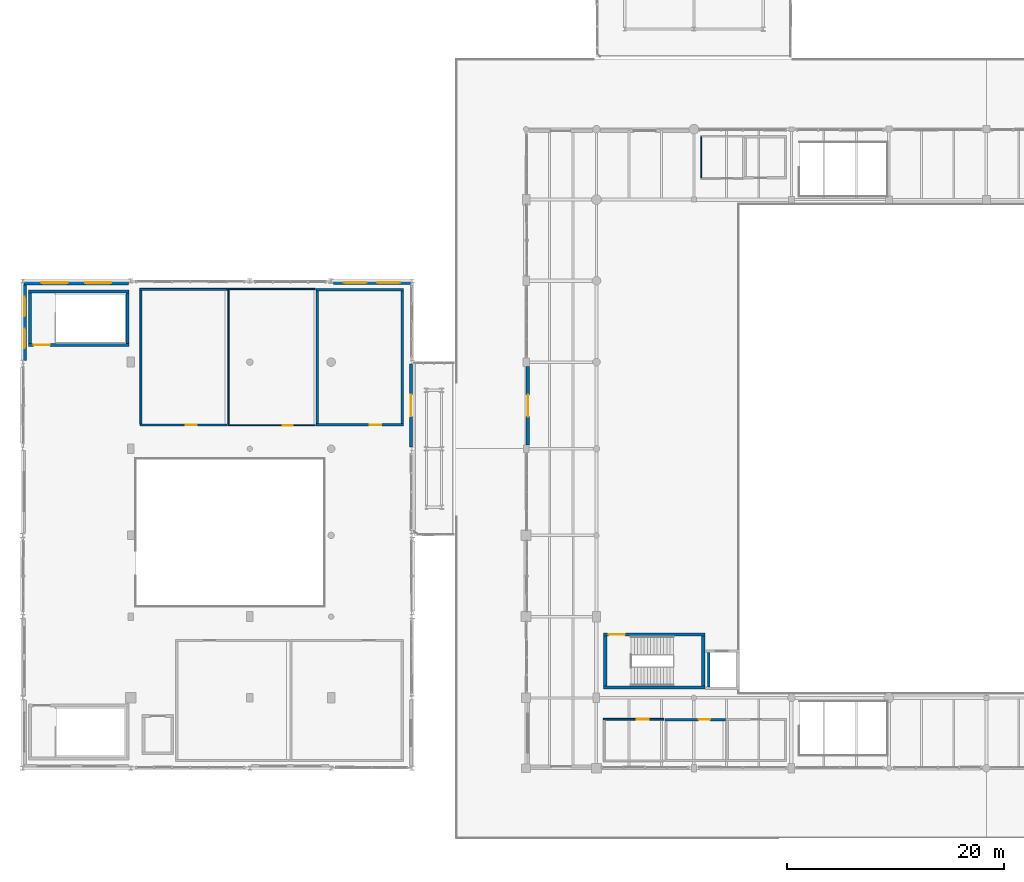
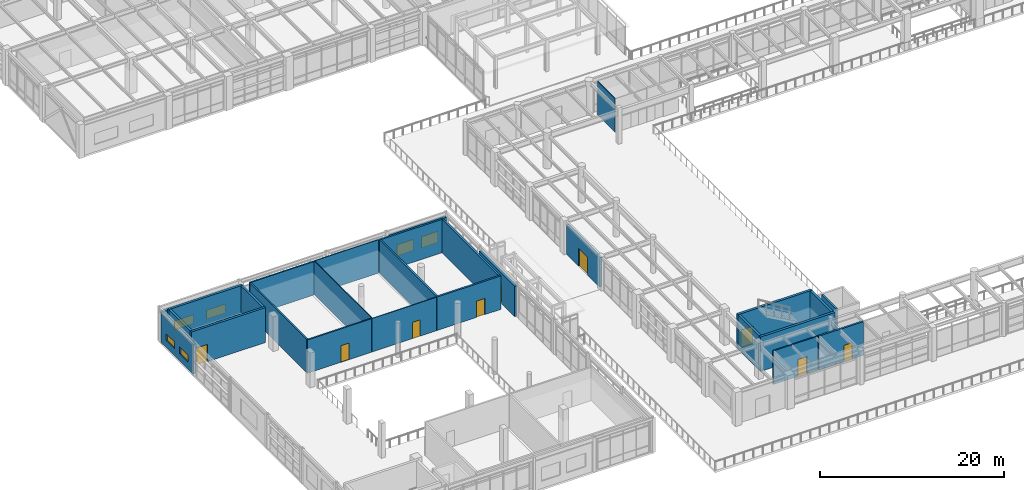
# One storey, part 172 of 200: 27 walls, 9 doors, 6 windows, 15 openings.
"""IFC4 building model written with IfcOpenShell, lengths in metres."""

from ifc_helpers import new_model, si_unit, direction, frame, frame_2d, origin, place, context, subcontext, project, spatial, rectangle, extrude, material, layer, layer_set, type_object, element, fill, save


model = new_model("IFC4")

# Units and contexts
model_context = context("Model", 3, precision=1e-05, world=origin(), true_north=direction((0.0, 1.0)))
body_context = subcontext(model_context, "Body", "Model", "MODEL_VIEW")
ifc_project = project(units=[si_unit("LENGTHUNIT", "METRE"), si_unit("AREAUNIT", "SQUARE_METRE"), si_unit("VOLUMEUNIT", "CUBIC_METRE"), si_unit("PLANEANGLEUNIT", "RADIAN"), si_unit("MASSUNIT", "GRAM", prefix="KILO"), si_unit("THERMODYNAMICTEMPERATUREUNIT", "KELVIN"), si_unit("POWERUNIT", "WATT")], contexts=[model_context])

# Site, building, storey
site_placement = place(None, origin())
site = spatial("IfcSite", under=ifc_project, at=site_placement, CompositionType="ELEMENT")
building_placement = place(site_placement, origin())
building = spatial("IfcBuilding", under=site, at=building_placement, Name="Tepalcoro Natatorium and Aquatics Centre", CompositionType="ELEMENT")
storey_placement = place(building_placement, frame((0.0, 0.0, 5.39990234375)))
storey = spatial("IfcBuildingStorey", under=building, at=storey_placement, Name="L01", CompositionType="ELEMENT", Elevation=5.39990234375)

# Wall, opening, door
ifc_material_1 = material(Name="Precast Concrete C45/55 (fc 45 MPa)", Category="concrete")
ifc_layer_1 = layer(ifc_material_1, 0.284912109375)
ifc_layer_set_1 = layer_set([ifc_layer_1], Name="Precast Concrete C45/55 (fc 45 MPa)")
wall_type_1 = type_object("IfcWallType", Name="WL_EXT_INSUL_280", PredefinedType="SOLIDWALL", material=ifc_layer_set_1)
wall_1_placement = place(storey_placement, frame((35.857421875, 36.157470703125, 0.0), z_axis=(0.0, 0.0, 1.0), x_axis=(0.0, 1.0, 0.0)))
wall_1 = element("IfcWall", 1, at=wall_1_placement, inside=storey, type_object=wall_type_1, Name="V3 L01 E Volcanic Basalt Envelope Wall", PredefinedType="SOLIDWALL", context=body_context, shape_type="SweptSolid", body=[
    extrude(rectangle(XDim=7.680908203125, YDim=0.284912109375, at=frame_2d((3.84033203125, 0.0))), origin(), (0.0, 0.0, 1.0), 4.0341796875),
])
opening_1_placement = place(wall_1_placement, frame((2.840576171875, 0.0, 0.0)))
opening_1 = element("IfcOpeningElement", 2, at=opening_1_placement, cuts=wall_1, Name="Opening ED5029", PredefinedType="OPENING", context=body_context, shape_type="SweptSolid", body=[
    extrude(rectangle(XDim=2.0, YDim=2.39990234375, at=frame_2d((1.0, 1.199951171875))), frame((0.0, 0.154296875, 0.0), z_axis=(0.0, -1.0, 0.0), x_axis=(1.0, 0.0, 0.0)), (0.0, 0.0, 1.0), 0.308837890625),
])
ifc_material_2 = material(Name="Bronze-Anodised Extruded Aluminium Alloy EN AW-6063 T6", Category="aluminium")
door_type_1 = type_object("IfcDoorType", Name="DR_200x240_EXT", OperationType="NOTDEFINED", PredefinedType="DOOR", material=ifc_material_2)
door_1_placement = place(opening_1_placement, frame((2.0, 0.0, 0.0), z_axis=(0.0, 0.0, 1.0), x_axis=(-1.0, 0.0, 0.0)))
door_1 = element("IfcDoor", 3, at=door_1_placement, inside=storey, type_object=door_type_1, Name="V3 L01 East Link Portal", OperationType="DOUBLE_DOOR_SINGLE_SWING", OverallHeight=2.39990234375, OverallWidth=2.0, PredefinedType="DOOR", context=body_context, shape_type="SweptSolid", body=[
    extrude(rectangle(XDim=2.0, YDim=2.39990234375, at=frame_2d((1.0, 1.199951171875))), frame((0.0, 0.02490234375, 0.0), z_axis=(0.0, -1.0, 0.0), x_axis=(1.0, 0.0, 0.0)), (0.0, 0.0, 1.0), 0.050048828125),
])
fill(opening_1, door_1)

ifc_material_3 = material(Name="Jalisco Cantera Rosa Volcanic Tuff Ashlar Masonry", Category="masonry")
ifc_layer_2 = layer(ifc_material_3, 0.320068359375)
ifc_layer_set_2 = layer_set([ifc_layer_2], Name="Jalisco Cantera Rosa Volcanic Tuff Ashlar Masonry")
wall_type_2 = type_object("IfcWallType", Name="WL_EXT_STONE_320", PredefinedType="SOLIDWALL", material=ifc_layer_set_2)
wall_2_placement = place(storey_placement, frame((46.659912109375, 36.35400390625, 0.0), z_axis=(0.0, 0.0, 1.0), x_axis=(0.0, 1.0, 0.0)))
wall_2 = element("IfcWall", 4, at=wall_2_placement, inside=storey, type_object=wall_type_2, Name="V1 L01 W Volcanic Basalt Envelope Wall", PredefinedType="SOLIDWALL", context=body_context, shape_type="SweptSolid", body=[
    extrude(rectangle(XDim=7.241943359375, YDim=0.320068359375, at=frame_2d((3.62109375, 0.0))), origin(), (0.0, 0.0, 1.0), 3.9140625),
])
opening_2_placement = place(wall_2_placement, frame((2.62109375, 0.0, 0.0)))
opening_2 = element("IfcOpeningElement", 5, at=opening_2_placement, cuts=wall_2, Name="Opening ED5015", PredefinedType="OPENING", context=body_context, shape_type="SweptSolid", body=[
    extrude(rectangle(XDim=2.0, YDim=2.39990234375, at=frame_2d((1.0, 1.199951171875))), frame((0.0, 0.171875, 0.0), z_axis=(0.0, -1.0, 0.0), x_axis=(1.0, 0.0, 0.0)), (0.0, 0.0, 1.0), 0.343994140625),
])
door_2_placement = place(opening_2_placement, origin())
door_2 = element("IfcDoor", 6, at=door_2_placement, inside=storey, type_object=door_type_1, Name="L01 West Bridge Portal", OperationType="DOUBLE_DOOR_SINGLE_SWING", OverallHeight=2.39990234375, OverallWidth=2.0, PredefinedType="DOOR", context=body_context, shape_type="SweptSolid", body=[
    extrude(rectangle(XDim=2.0, YDim=2.39990234375, at=frame_2d((1.0, 1.199951171875))), frame((0.0, 0.02490234375, 0.0), z_axis=(0.0, -1.0, 0.0), x_axis=(1.0, 0.0, 0.0)), (0.0, 0.0, 1.0), 0.050048828125),
])
fill(opening_2, door_2)

# Wall, openings, windows
wall_3_placement = place(storey_placement, frame((28.70458984375, 51.340087890625, 0.0), z_axis=(0.0, 0.0, 1.0), x_axis=(1.0, 0.0, 0.0)))
wall_3 = element("IfcWall", 7, at=wall_3_placement, inside=storey, type_object=wall_type_2, Name="V3 L01 N Volcanic Basalt Envelope Wall", PredefinedType="SOLIDWALL", context=body_context, shape_type="SweptSolid", body=[
    extrude(rectangle(XDim=7.136474609375, YDim=0.320068359375, at=frame_2d((3.568359375, 0.0))), origin(), (0.0, 0.0, 1.0), 4.0341796875),
])
opening_3_placement = place(wall_3_placement, frame((0.978759765625, 0.0, 0.949951171875)))
opening_3 = element("IfcOpeningElement", 8, at=opening_3_placement, cuts=wall_3, Name="Opening W0063A", PredefinedType="OPENING", context=body_context, shape_type="SweptSolid", body=[
    extrude(rectangle(XDim=2.10009765625, YDim=1.5, at=frame_2d((1.050048828125, 0.75))), frame((0.0, 0.171875, 0.0), z_axis=(0.0, -1.0, 0.0), x_axis=(1.0, 0.0, 0.0)), (0.0, 0.0, 1.0), 0.343994140625),
])
opening_4_placement = place(wall_3_placement, frame((4.0576171875, 0.0, 0.949951171875)))
opening_4 = element("IfcOpeningElement", 9, at=opening_4_placement, cuts=wall_3, Name="Opening W0063B", PredefinedType="OPENING", context=body_context, shape_type="SweptSolid", body=[
    extrude(rectangle(XDim=2.10009765625, YDim=1.5, at=frame_2d((1.050048828125, 0.75))), frame((0.0, 0.171875, 0.0), z_axis=(0.0, -1.0, 0.0), x_axis=(1.0, 0.0, 0.0)), (0.0, 0.0, 1.0), 0.343994140625),
])
ifc_material_4 = material(Name="Solar-Control Bronze Tempered Low-E Double Glazing", Category="glass")
window_type_1 = type_object("IfcWindowType", Name="WN_210x150", PartitioningType="SINGLE_PANEL", PredefinedType="WINDOW", material=ifc_material_4)
window_1_placement = place(opening_3_placement, origin())
window_1 = element("IfcWindow", 10, at=window_1_placement, inside=storey, type_object=window_type_1, Name="Exterior Thermal Window WN_210x150", OverallHeight=1.5, OverallWidth=2.10009765625, PartitioningType="SINGLE_PANEL", PredefinedType="WINDOW", context=body_context, shape_type="SweptSolid", body=[
    extrude(rectangle(XDim=2.10009765625, YDim=1.5, at=frame_2d((1.050048828125, 0.75))), frame((0.0, 0.030029296875, 0.0), z_axis=(0.0, -1.0, 0.0), x_axis=(1.0, 0.0, 0.0)), (0.0, 0.0, 1.0), 0.06005859375),
])
fill(opening_3, window_1)
window_2_placement = place(opening_4_placement, origin())
window_2 = element("IfcWindow", 11, at=window_2_placement, inside=storey, type_object=window_type_1, Name="Exterior Thermal Window WN_210x150", OverallHeight=1.5, OverallWidth=2.10009765625, PartitioningType="SINGLE_PANEL", PredefinedType="WINDOW", context=body_context, shape_type="SweptSolid", body=[
    extrude(rectangle(XDim=2.10009765625, YDim=1.5, at=frame_2d((1.050048828125, 0.75))), frame((0.0, 0.030029296875, 0.0), z_axis=(0.0, -1.0, 0.0), x_axis=(1.0, 0.0, 0.0)), (0.0, 0.0, 1.0), 0.06005859375),
])
fill(opening_4, window_2)

ifc_material_5 = material(Name="Volcanic Recinto Basalt Ashlar Masonry", Category="masonry")
ifc_layer_3 = layer(ifc_material_5, 0.360107421875)
ifc_layer_set_3 = layer_set([ifc_layer_3], Name="Volcanic Recinto Basalt Ashlar Masonry")
wall_type_3 = type_object("IfcWallType", Name="WL_EXT_STONE_350", PredefinedType="SOLIDWALL", material=ifc_layer_set_3)
wall_4_placement = place(storey_placement, frame((0.158935546875, 51.320068359375, 0.0), z_axis=(0.0, 0.0, 1.0), x_axis=(1.0, 0.0, 0.0)))
wall_4 = element("IfcWall", 12, at=wall_4_placement, inside=storey, type_object=wall_type_3, Name="V3 L01 N Volcanic Basalt Envelope Wall", PredefinedType="SOLIDWALL", context=body_context, shape_type="SweptSolid", body=[
    extrude(rectangle(XDim=9.650146484375, YDim=0.360107421875, at=frame_2d((4.8251953125, 0.0))), origin(), (0.0, 0.0, 1.0), 3.9580078125),
])
opening_5_placement = place(wall_4_placement, frame((1.61669921875, 0.0, 0.949951171875)))
opening_5 = element("IfcOpeningElement", 13, at=opening_5_placement, cuts=wall_4, Name="Opening W0062A", PredefinedType="OPENING", context=body_context, shape_type="SweptSolid", body=[
    extrude(rectangle(XDim=2.39990234375, YDim=1.199951171875, at=frame_2d((1.199951171875, 0.60009765625))), frame((0.0, 0.19189453125, 0.0), z_axis=(0.0, -1.0, 0.0), x_axis=(1.0, 0.0, 0.0)), (0.0, 0.0, 1.0), 0.384033203125),
])
opening_6_placement = place(wall_4_placement, frame((5.63330078125, 0.0, 0.949951171875)))
opening_6 = element("IfcOpeningElement", 14, at=opening_6_placement, cuts=wall_4, Name="Opening W0062B", PredefinedType="OPENING", context=body_context, shape_type="SweptSolid", body=[
    extrude(rectangle(XDim=2.39990234375, YDim=1.199951171875, at=frame_2d((1.199951171875, 0.60009765625))), frame((0.0, 0.19189453125, 0.0), z_axis=(0.0, -1.0, 0.0), x_axis=(1.0, 0.0, 0.0)), (0.0, 0.0, 1.0), 0.384033203125),
])
window_type_2 = type_object("IfcWindowType", Name="WN_240x120", PartitioningType="SINGLE_PANEL", PredefinedType="WINDOW", material=ifc_material_4)
window_3_placement = place(opening_5_placement, origin())
window_3 = element("IfcWindow", 15, at=window_3_placement, inside=storey, type_object=window_type_2, Name="Exterior Thermal Window WN_240x120", OverallHeight=1.199951171875, OverallWidth=2.39990234375, PartitioningType="SINGLE_PANEL", PredefinedType="WINDOW", context=body_context, shape_type="SweptSolid", body=[
    extrude(rectangle(XDim=2.39990234375, YDim=1.199951171875, at=frame_2d((1.199951171875, 0.60009765625))), frame((0.0, 0.030029296875, 0.0), z_axis=(0.0, -1.0, 0.0), x_axis=(1.0, 0.0, 0.0)), (0.0, 0.0, 1.0), 0.06005859375),
])
fill(opening_5, window_3)
window_4_placement = place(opening_6_placement, origin())
window_4 = element("IfcWindow", 16, at=window_4_placement, inside=storey, type_object=window_type_2, Name="Exterior Thermal Window WN_240x120", OverallHeight=1.199951171875, OverallWidth=2.39990234375, PartitioningType="SINGLE_PANEL", PredefinedType="WINDOW", context=body_context, shape_type="SweptSolid", body=[
    extrude(rectangle(XDim=2.39990234375, YDim=1.199951171875, at=frame_2d((1.199951171875, 0.60009765625))), frame((0.0, 0.030029296875, 0.0), z_axis=(0.0, -1.0, 0.0), x_axis=(1.0, 0.0, 0.0)), (0.0, 0.0, 1.0), 0.06005859375),
])
fill(opening_6, window_4)

wall_5_placement = place(storey_placement, frame((0.179931640625, 44.16162109375, 0.0), z_axis=(0.0, 0.0, 1.0), x_axis=(0.0, 1.0, 0.0)))
wall_5 = element("IfcWall", 17, at=wall_5_placement, inside=storey, type_object=wall_type_3, Name="V3 L01 W Volcanic Basalt Envelope Wall", PredefinedType="SOLIDWALL", context=body_context, shape_type="SweptSolid", body=[
    extrude(rectangle(XDim=6.974365234375, YDim=0.360107421875, at=frame_2d((3.4873046875, 0.0))), origin(), (0.0, 0.0, 1.0), 3.9580078125),
])
opening_7_placement = place(wall_5_placement, frame((1.124755859375, 0.0, 0.949951171875)))
opening_7 = element("IfcOpeningElement", 18, at=opening_7_placement, cuts=wall_5, Name="Opening W0067A", PredefinedType="OPENING", context=body_context, shape_type="SweptSolid", body=[
    extrude(rectangle(XDim=1.800048828125, YDim=0.89990234375, at=frame_2d((0.89990234375, 0.449951171875))), frame((0.0, 0.19189453125, 0.0), z_axis=(0.0, -1.0, 0.0), x_axis=(1.0, 0.0, 0.0)), (0.0, 0.0, 1.0), 0.384033203125),
])
opening_8_placement = place(wall_5_placement, frame((4.0498046875, 0.0, 0.949951171875)))
opening_8 = element("IfcOpeningElement", 19, at=opening_8_placement, cuts=wall_5, Name="Opening W0067B", PredefinedType="OPENING", context=body_context, shape_type="SweptSolid", body=[
    extrude(rectangle(XDim=1.800048828125, YDim=0.89990234375, at=frame_2d((0.89990234375, 0.449951171875))), frame((0.0, 0.19189453125, 0.0), z_axis=(0.0, -1.0, 0.0), x_axis=(1.0, 0.0, 0.0)), (0.0, 0.0, 1.0), 0.384033203125),
])
window_type_3 = type_object("IfcWindowType", Name="WN_180x090_CLER", PartitioningType="SINGLE_PANEL", PredefinedType="WINDOW", material=ifc_material_4)
window_5_placement = place(opening_7_placement, origin())
window_5 = element("IfcWindow", 20, at=window_5_placement, inside=storey, type_object=window_type_3, Name="Exterior Thermal Window WN_180x090_CLER", OverallHeight=0.89990234375, OverallWidth=1.800048828125, PartitioningType="SINGLE_PANEL", PredefinedType="WINDOW", context=body_context, shape_type="SweptSolid", body=[
    extrude(rectangle(XDim=1.800048828125, YDim=0.89990234375, at=frame_2d((0.89990234375, 0.449951171875))), frame((0.0, 0.030029296875, 0.0), z_axis=(0.0, -1.0, 0.0), x_axis=(1.0, 0.0, 0.0)), (0.0, 0.0, 1.0), 0.06005859375),
])
fill(opening_7, window_5)
window_6_placement = place(opening_8_placement, origin())
window_6 = element("IfcWindow", 21, at=window_6_placement, inside=storey, type_object=window_type_3, Name="Exterior Thermal Window WN_180x090_CLER", OverallHeight=0.89990234375, OverallWidth=1.800048828125, PartitioningType="SINGLE_PANEL", PredefinedType="WINDOW", context=body_context, shape_type="SweptSolid", body=[
    extrude(rectangle(XDim=1.800048828125, YDim=0.89990234375, at=frame_2d((0.89990234375, 0.449951171875))), frame((0.0, 0.030029296875, 0.0), z_axis=(0.0, -1.0, 0.0), x_axis=(1.0, 0.0, 0.0)), (0.0, 0.0, 1.0), 0.06005859375),
])
fill(opening_8, window_6)

# Wall
ifc_material_6 = material(Name="Moisture-Resistant Acoustic Gypsum Drywall on Cold-Formed Metal Studs")
ifc_layer_4 = layer(ifc_material_6, 0.10009765625)
ifc_layer_set_4 = layer_set([ifc_layer_4], Name="Moisture-Resistant Acoustic Gypsum Drywall on Cold-Formed Metal Studs")
wall_type_4 = type_object("IfcWallType", Name="WL_PART_100", PredefinedType="PARTITIONING", material=ifc_layer_set_4)
wall_6_placement = place(storey_placement, frame((62.68994140625, 61.0, 0.0), z_axis=(0.0, 0.0, 1.0), x_axis=(0.0, 1.0, 0.0)))
element("IfcWall", 22, at=wall_6_placement, inside=storey, type_object=wall_type_4, Name="North Concourse Espresso Bar NW Partition W", PredefinedType="PARTITIONING", context=body_context, shape_type="SweptSolid", body=[
    extrude(rectangle(XDim=3.800048828125, YDim=0.10009765625, at=frame_2d((1.89990234375, 0.0))), origin(), (0.0, 0.0, 1.0), 4.465087890625),
])

# Wall, opening, door
wall_7_placement = place(storey_placement, frame((18.972900390625, 38.14990234375, 0.0), z_axis=(0.0, 0.0, 1.0), x_axis=(1.0, 0.0, 0.0)))
wall_7 = element("IfcWall", 23, at=wall_7_placement, inside=storey, type_object=wall_type_4, Name="Members Lounge & Juice Bar Partition S", PredefinedType="PARTITIONING", context=body_context, shape_type="SweptSolid", body=[
    extrude(rectangle(XDim=8.05419921875, YDim=0.10009765625, at=frame_2d((4.027099609375, 0.0))), origin(), (0.0, 0.0, 1.0), 4.43505859375),
])
opening_9_placement = place(wall_7_placement, frame((5.052978515625, 0.0, 0.0)))
opening_9 = element("IfcOpeningElement", 24, at=opening_9_placement, cuts=wall_7, Name="Opening D0133", PredefinedType="OPENING", context=body_context, shape_type="SweptSolid", body=[
    extrude(rectangle(XDim=0.949951171875, YDim=2.14990234375, at=frame_2d((0.47509765625, 1.074951171875))), frame((0.0, 0.06201171875, 0.0), z_axis=(0.0, -1.0, 0.0), x_axis=(1.0, 0.0, 0.0)), (0.0, 0.0, 1.0), 0.1240234375),
])
ifc_material_7 = material(Name="Solid-Core Moisture-Sealed Oak Timber Leaf in Aluminium Frame", Category="wood")
door_type_2 = type_object("IfcDoorType", Name="DR_095x215_OFFICE", OperationType="NOTDEFINED", PredefinedType="DOOR", material=ifc_material_7)
door_3_placement = place(opening_9_placement, origin())
door_3 = element("IfcDoor", 25, at=door_3_placement, inside=storey, type_object=door_type_2, Name="Members Lounge & Juice Bar Door", OperationType="SINGLE_SWING_RIGHT", OverallHeight=2.14990234375, OverallWidth=0.949951171875, PredefinedType="DOOR", context=body_context, shape_type="SweptSolid", body=[
    extrude(rectangle(XDim=0.949951171875, YDim=2.14990234375, at=frame_2d((0.47509765625, 1.074951171875))), frame((0.0, 0.02490234375, 0.0), z_axis=(0.0, -1.0, 0.0), x_axis=(1.0, 0.0, 0.0)), (0.0, 0.0, 1.0), 0.050048828125),
])
fill(opening_9, door_3)

# Walls
wall_8_placement = place(storey_placement, frame((18.972900390625, 50.75, 0.0), z_axis=(0.0, 0.0, 1.0), x_axis=(1.0, 0.0, 0.0)))
element("IfcWall", 26, at=wall_8_placement, inside=storey, type_object=wall_type_4, Name="Members Lounge & Juice Bar Partition N", PredefinedType="PARTITIONING", context=body_context, shape_type="SweptSolid", body=[
    extrude(rectangle(XDim=8.05419921875, YDim=0.10009765625, at=frame_2d((4.027099609375, 0.0))), origin(), (0.0, 0.0, 1.0), 4.43505859375),
])
wall_9_placement = place(storey_placement, frame((19.02294921875, 38.199951171875, 0.0), z_axis=(0.0, 0.0, 1.0), x_axis=(0.0, 1.0, 0.0)))
element("IfcWall", 27, at=wall_9_placement, inside=storey, type_object=wall_type_4, Name="Members Lounge & Juice Bar Partition W", PredefinedType="PARTITIONING", context=body_context, shape_type="SweptSolid", body=[
    extrude(rectangle(XDim=12.5, YDim=0.10009765625, at=frame_2d((6.25, 0.0))), origin(), (0.0, 0.0, 1.0), 4.43505859375),
])

# Wall, opening, door
ifc_layer_5 = layer(ifc_material_6, 0.14990234375)
ifc_layer_set_5 = layer_set([ifc_layer_5], Name="Moisture-Resistant Acoustic Gypsum Drywall on Cold-Formed Metal Studs")
wall_type_5 = type_object("IfcWallType", Name="WL_PART_150_AC", PredefinedType="PARTITIONING", material=ifc_layer_set_5)
wall_10_placement = place(storey_placement, frame((53.639892578125, 11.02490234375, 0.0), z_axis=(0.0, 0.0, 1.0), x_axis=(1.0, 0.0, 0.0)))
wall_10 = element("IfcWall", 28, at=wall_10_placement, inside=storey, type_object=wall_type_5, Name="South Concourse Refreshment Kiosk West Partition N", PredefinedType="PARTITIONING", context=body_context, shape_type="SweptSolid", body=[
    extrude(rectangle(XDim=5.587158203125, YDim=0.14990234375, at=frame_2d((2.79345703125, 0.0))), origin(), (0.0, 0.0, 1.0), 4.465087890625),
])
opening_10_placement = place(wall_10_placement, frame((3.090087890625, 0.0, 0.0)))
opening_10 = element("IfcOpeningElement", 29, at=opening_10_placement, cuts=wall_10, Name="Opening D0115", PredefinedType="OPENING", context=body_context, shape_type="SweptSolid", body=[
    extrude(rectangle(XDim=1.10009765625, YDim=2.25, at=frame_2d((0.550048828125, 1.125))), frame((0.0, 0.0869140625, 0.0), z_axis=(0.0, -1.0, 0.0), x_axis=(1.0, 0.0, 0.0)), (0.0, 0.0, 1.0), 0.173828125),
])
door_type_3 = type_object("IfcDoorType", Name="DR_110x225", OperationType="NOTDEFINED", PredefinedType="DOOR", material=ifc_material_7)
door_4_placement = place(opening_10_placement, frame((1.10009765625, 0.0, 0.0), z_axis=(0.0, 0.0, 1.0), x_axis=(-1.0, 0.0, 0.0)))
door_4 = element("IfcDoor", 30, at=door_4_placement, inside=storey, type_object=door_type_3, Name="South Concourse Refreshment Kiosk West Door", OperationType="SINGLE_SWING_RIGHT", OverallHeight=2.25, OverallWidth=1.10009765625, PredefinedType="DOOR", context=body_context, shape_type="SweptSolid", body=[
    extrude(rectangle(XDim=1.10009765625, YDim=2.25, at=frame_2d((0.550048828125, 1.125))), frame((0.0, 0.02490234375, 0.0), z_axis=(0.0, -1.0, 0.0), x_axis=(1.0, 0.0, 0.0)), (0.0, 0.0, 1.0), 0.050048828125),
])
fill(opening_10, door_4)

ifc_layer_6 = layer(ifc_material_6, 0.179931640625)
ifc_layer_set_6 = layer_set([ifc_layer_6], Name="Moisture-Resistant Acoustic Gypsum Drywall on Cold-Formed Metal Studs")
wall_type_6 = type_object("IfcWallType", Name="WL_PART_180_AC", PredefinedType="PARTITIONING", material=ifc_layer_set_6)
wall_11_placement = place(storey_placement, frame((10.840087890625, 38.18994140625, 0.0), z_axis=(0.0, 0.0, 1.0), x_axis=(1.0, 0.0, 0.0)))
wall_11 = element("IfcWall", 31, at=wall_11_placement, inside=storey, type_object=wall_type_6, Name="Civic Community Multi-Purpose Seminar Room Partition S", PredefinedType="PARTITIONING", context=body_context, shape_type="SweptSolid", body=[
    extrude(rectangle(XDim=8.052978515625, YDim=0.179931640625, at=frame_2d((4.0263671875, 0.0))), origin(), (0.0, 0.0, 1.0), 4.43505859375),
])
opening_11_placement = place(wall_11_placement, frame((4.240966796875, 0.0, 0.0)))
opening_11 = element("IfcOpeningElement", 32, at=opening_11_placement, cuts=wall_11, Name="Opening D0132", PredefinedType="OPENING", context=body_context, shape_type="SweptSolid", body=[
    extrude(rectangle(XDim=1.0, YDim=2.199951171875, at=frame_2d((0.5, 1.10009765625))), frame((0.0, 0.10205078125, 0.0), z_axis=(0.0, -1.0, 0.0), x_axis=(1.0, 0.0, 0.0)), (0.0, 0.0, 1.0), 0.203857421875),
])
ifc_material_8 = material(Name="Galvanised Steel Insulated Acoustic Fire Door Assembly", Category="steel")
door_type_4 = type_object("IfcDoorType", Name="DR_100x220_FD60", OperationType="NOTDEFINED", PredefinedType="DOOR", material=ifc_material_8)
door_5_placement = place(opening_11_placement, origin())
door_5 = element("IfcDoor", 33, at=door_5_placement, inside=storey, type_object=door_type_4, Name="Civic Community Multi-Purpose Seminar Room Door", OperationType="SINGLE_SWING_LEFT", OverallHeight=2.199951171875, OverallWidth=1.0, PredefinedType="DOOR", context=body_context, shape_type="SweptSolid", body=[
    extrude(rectangle(XDim=1.0, YDim=2.199951171875, at=frame_2d((0.5, 1.10009765625))), frame((0.0, 0.02490234375, 0.0), z_axis=(0.0, -1.0, 0.0), x_axis=(1.0, 0.0, 0.0)), (0.0, 0.0, 1.0), 0.050048828125),
])
fill(opening_11, door_5)

# Walls
wall_12_placement = place(storey_placement, frame((10.840087890625, 50.7099609375, 0.0), z_axis=(0.0, 0.0, 1.0), x_axis=(1.0, 0.0, 0.0)))
element("IfcWall", 34, at=wall_12_placement, inside=storey, type_object=wall_type_6, Name="Civic Community Multi-Purpose Seminar Room Partition N", PredefinedType="PARTITIONING", context=body_context, shape_type="SweptSolid", body=[
    extrude(rectangle(XDim=8.052978515625, YDim=0.179931640625, at=frame_2d((4.0263671875, 0.0))), origin(), (0.0, 0.0, 1.0), 4.43505859375),
])
wall_13_placement = place(storey_placement, frame((10.929931640625, 38.280029296875, 0.0), z_axis=(0.0, 0.0, 1.0), x_axis=(0.0, 1.0, 0.0)))
element("IfcWall", 35, at=wall_13_placement, inside=storey, type_object=wall_type_6, Name="Civic Community Multi-Purpose Seminar Room Partition W", PredefinedType="PARTITIONING", context=body_context, shape_type="SweptSolid", body=[
    extrude(rectangle(XDim=12.340087890625, YDim=0.179931640625, at=frame_2d((6.169921875, 0.0))), origin(), (0.0, 0.0, 1.0), 4.43505859375),
])

# Wall, opening, door
ifc_material_9 = material(Name="Ceramic-Tiled Moisture-Resistant Masonry Blockwork", Category="masonry")
ifc_layer_7 = layer(ifc_material_9, 0.219970703125)
ifc_layer_set_7 = layer_set([ifc_layer_7], Name="Ceramic-Tiled Moisture-Resistant Masonry Blockwork")
wall_type_7 = type_object("IfcWallType", Name="WL_PLUMB_220", PredefinedType="PLUMBINGWALL", material=ifc_layer_set_7)
wall_14_placement = place(storey_placement, frame((59.306884765625, 10.989990234375, 0.0), z_axis=(0.0, 0.0, 1.0), x_axis=(1.0, 0.0, 0.0)))
wall_14 = element("IfcWall", 36, at=wall_14_placement, inside=storey, type_object=wall_type_7, Name="Spectator Male & Female Toilets SW Partition N", PredefinedType="PLUMBINGWALL", context=body_context, shape_type="SweptSolid", body=[
    extrude(rectangle(XDim=5.586181640625, YDim=0.219970703125, at=frame_2d((2.79296875, 0.0))), origin(), (0.0, 0.0, 1.0), 4.465087890625),
])
opening_12_placement = place(wall_14_placement, frame((3.126953125, 0.0, 0.0)))
opening_12 = element("IfcOpeningElement", 37, at=opening_12_placement, cuts=wall_14, Name="Opening D0116", PredefinedType="OPENING", context=body_context, shape_type="SweptSolid", body=[
    extrude(rectangle(XDim=1.050048828125, YDim=2.14990234375, at=frame_2d((0.52490234375, 1.074951171875))), frame((0.0, 0.1220703125, 0.0), z_axis=(0.0, -1.0, 0.0), x_axis=(1.0, 0.0, 0.0)), (0.0, 0.0, 1.0), 0.243896484375),
])
door_type_5 = type_object("IfcDoorType", Name="DR_105x215_ACC", OperationType="NOTDEFINED", PredefinedType="DOOR", material=ifc_material_7)
door_6_placement = place(opening_12_placement, frame((1.050048828125, 0.0, 0.0), z_axis=(0.0, 0.0, 1.0), x_axis=(-1.0, 0.0, 0.0)))
door_6 = element("IfcDoor", 38, at=door_6_placement, inside=storey, type_object=door_type_5, Name="Spectator Male & Female Toilets SW Door", OperationType="SINGLE_SWING_LEFT", OverallHeight=2.14990234375, OverallWidth=1.050048828125, PredefinedType="DOOR", context=body_context, shape_type="SweptSolid", body=[
    extrude(rectangle(XDim=1.050048828125, YDim=2.14990234375, at=frame_2d((0.52490234375, 1.074951171875))), frame((0.0, 0.02490234375, 0.0), z_axis=(0.0, -1.0, 0.0), x_axis=(1.0, 0.0, 0.0)), (0.0, 0.0, 1.0), 0.050048828125),
])
fill(opening_12, door_6)

wall_15_placement = place(storey_placement, frame((27.10693359375, 38.2099609375, 0.0), z_axis=(0.0, 0.0, 1.0), x_axis=(1.0, 0.0, 0.0)))
wall_15 = element("IfcWall", 39, at=wall_15_placement, inside=storey, type_object=wall_type_7, Name="L01 Atrium Male/Female & Accessible Toilets Partition S", PredefinedType="PLUMBINGWALL", context=body_context, shape_type="SweptSolid", body=[
    extrude(rectangle(XDim=8.052978515625, YDim=0.219970703125, at=frame_2d((4.0263671875, 0.0))), origin(), (0.0, 0.0, 1.0), 4.43505859375),
])
opening_13_placement = place(wall_15_placement, frame((4.977294921875, 0.0, 0.0)))
opening_13 = element("IfcOpeningElement", 40, at=opening_13_placement, cuts=wall_15, Name="Opening D0134", PredefinedType="OPENING", context=body_context, shape_type="SweptSolid", body=[
    extrude(rectangle(XDim=1.050048828125, YDim=2.14990234375, at=frame_2d((0.52490234375, 1.074951171875))), frame((0.0, 0.1220703125, 0.0), z_axis=(0.0, -1.0, 0.0), x_axis=(1.0, 0.0, 0.0)), (0.0, 0.0, 1.0), 0.243896484375),
])
door_7_placement = place(opening_13_placement, origin())
door_7 = element("IfcDoor", 41, at=door_7_placement, inside=storey, type_object=door_type_5, Name="L01 Atrium Male/Female & Accessible Toilets Door", OperationType="SINGLE_SWING_LEFT", OverallHeight=2.14990234375, OverallWidth=1.050048828125, PredefinedType="DOOR", context=body_context, shape_type="SweptSolid", body=[
    extrude(rectangle(XDim=1.050048828125, YDim=2.14990234375, at=frame_2d((0.52490234375, 1.074951171875))), frame((0.0, 0.02490234375, 0.0), z_axis=(0.0, -1.0, 0.0), x_axis=(1.0, 0.0, 0.0)), (0.0, 0.0, 1.0), 0.050048828125),
])
fill(opening_13, door_7)

# Walls
wall_16_placement = place(storey_placement, frame((27.10693359375, 50.68994140625, 0.0), z_axis=(0.0, 0.0, 1.0), x_axis=(1.0, 0.0, 0.0)))
element("IfcWall", 42, at=wall_16_placement, inside=storey, type_object=wall_type_7, Name="L01 Atrium Male/Female & Accessible Toilets Partition N", PredefinedType="PLUMBINGWALL", context=body_context, shape_type="SweptSolid", body=[
    extrude(rectangle(XDim=8.052978515625, YDim=0.219970703125, at=frame_2d((4.0263671875, 0.0))), origin(), (0.0, 0.0, 1.0), 4.43505859375),
])
for number, where, z_axis, x_axis, name in (
    (43, (35.050048828125, 38.320068359375, 0.0), (0.0, 0.0, 1.0), (0.0, 1.0, 0.0), "L01 Atrium Male/Female & Accessible Toilets Partition E"),
    (44, (27.217041015625, 38.320068359375, 0.0), (0.0, 0.0, 1.0), (0.0, 1.0, 0.0), "L01 Atrium Male/Female & Accessible Toilets Partition W"),
):
    element("IfcWall", number, at=place(storey_placement, frame(where, z_axis=z_axis, x_axis=x_axis)), inside=storey, type_object=wall_type_7, Name=name, PredefinedType="PLUMBINGWALL", context=body_context, shape_type="SweptSolid", body=[
        extrude(rectangle(XDim=12.260009765625, YDim=0.219970703125, at=frame_2d((6.1298828125, 0.0))), origin(), (0.0, 0.0, 1.0), 4.43505859375),
    ])
ifc_material_10 = material(Name="Concrete C40/50 (fc 40 MPa)", Category="concrete")
ifc_layer_8 = layer(ifc_material_10, 0.239990234375)
ifc_layer_set_8 = layer_set([ifc_layer_8], Name="Concrete C40/50 (fc 40 MPa)")
wall_type_8 = type_object("IfcWallType", Name="WL_SHAFT_240", PredefinedType="SOLIDWALL", material=ifc_layer_set_8)
wall_17_placement = place(storey_placement, frame((63.3798828125, 14.0, 0.0), z_axis=(0.0, 0.0, 1.0), x_axis=(0.0, 1.0, 0.0)))
element("IfcWall", 45, at=wall_17_placement, inside=storey, type_object=wall_type_8, Name="LF01 Lift Shaft Wall W L01", PredefinedType="SOLIDWALL", context=body_context, shape_type="SweptSolid", body=[
    extrude(rectangle(XDim=3.199951171875, YDim=0.239990234375, at=frame_2d((1.60009765625, 0.0))), origin(), (0.0, 0.0, 1.0), 4.800048828125),
])

# Wall, opening, door
ifc_layer_9 = layer(ifc_material_10, 0.280029296875)
ifc_layer_set_9 = layer_set([ifc_layer_9], Name="Concrete C40/50 (fc 40 MPa)")
wall_type_9 = type_object("IfcWallType", Name="WL_SHEAR_280", PredefinedType="SHEAR", material=ifc_layer_set_9)
wall_18_placement = place(storey_placement, frame((0.550048828125, 45.590087890625, 0.0), z_axis=(0.0, 0.0, 1.0), x_axis=(1.0, 0.0, 0.0)))
wall_18 = element("IfcWall", 46, at=wall_18_placement, inside=storey, type_object=wall_type_9, Name="ST06 Core Shear Wall S L01", PredefinedType="SHEAR", context=body_context, shape_type="SweptSolid", body=[
    extrude(rectangle(XDim=9.300048828125, YDim=0.280029296875, at=frame_2d((4.64990234375, 0.0))), origin(), (0.0, 0.0, 1.0), 4.635009765625),
])
opening_14_placement = place(wall_18_placement, frame((0.47998046875, 0.0, 0.0)))
opening_14 = element("IfcOpeningElement", 47, at=opening_14_placement, cuts=wall_18, Name="Opening D0024", PredefinedType="OPENING", context=body_context, shape_type="SweptSolid", body=[
    extrude(rectangle(XDim=1.5, YDim=2.300048828125, at=frame_2d((0.75, 1.14990234375))), frame((0.0, 0.15185546875, 0.0), z_axis=(0.0, -1.0, 0.0), x_axis=(1.0, 0.0, 0.0)), (0.0, 0.0, 1.0), 0.303955078125),
])
door_type_6 = type_object("IfcDoorType", Name="DR_150x230_FD60", OperationType="NOTDEFINED", PredefinedType="DOOR", material=ifc_material_8)
door_8_placement = place(opening_14_placement, origin())
door_8 = element("IfcDoor", 48, at=door_8_placement, inside=storey, type_object=door_type_6, Name="ST06 Fire Stair Door (L01)", OperationType="DOUBLE_DOOR_SINGLE_SWING", OverallHeight=2.300048828125, OverallWidth=1.5, PredefinedType="DOOR", context=body_context, shape_type="SweptSolid", body=[
    extrude(rectangle(XDim=1.5, YDim=2.300048828125, at=frame_2d((0.75, 1.14990234375))), frame((0.0, 0.02490234375, 0.0), z_axis=(0.0, -1.0, 0.0), x_axis=(1.0, 0.0, 0.0)), (0.0, 0.0, 1.0), 0.050048828125),
])
fill(opening_14, door_8)

# Walls
wall_19_placement = place(storey_placement, frame((0.550048828125, 50.510009765625, 0.0), z_axis=(0.0, 0.0, 1.0), x_axis=(1.0, 0.0, 0.0)))
element("IfcWall", 49, at=wall_19_placement, inside=storey, type_object=wall_type_9, Name="ST06 Core Shear Wall N L01", PredefinedType="SHEAR", context=body_context, shape_type="SweptSolid", body=[
    extrude(rectangle(XDim=9.300048828125, YDim=0.280029296875, at=frame_2d((4.64990234375, 0.0))), origin(), (0.0, 0.0, 1.0), 4.635009765625),
])
for number, where, z_axis, x_axis, name in (
    (50, (0.68994140625, 45.72998046875, 0.0), (0.0, 0.0, 1.0), (0.0, 1.0, 0.0), "ST06 Core Shear Wall W L01"),
    (51, (9.7099609375, 45.72998046875, 0.0), (0.0, 0.0, 1.0), (0.0, 1.0, 0.0), "ST06 Core Shear Wall E L01"),
):
    element("IfcWall", number, at=place(storey_placement, frame(where, z_axis=z_axis, x_axis=x_axis)), inside=storey, type_object=wall_type_9, Name=name, PredefinedType="SHEAR", context=body_context, shape_type="SweptSolid", body=[
        extrude(rectangle(XDim=4.64013671875, YDim=0.280029296875, at=frame_2d((2.320068359375, 0.0))), origin(), (0.0, 0.0, 1.0), 4.635009765625),
    ])
ifc_layer_10 = layer(ifc_material_10, 0.300048828125)
ifc_layer_set_10 = layer_set([ifc_layer_10], Name="Concrete C40/50 (fc 40 MPa)")
wall_type_10 = type_object("IfcWallType", Name="WL_SHEAR_300", PredefinedType="SHEAR", material=ifc_layer_set_10)
wall_20_placement = place(storey_placement, frame((53.64990234375, 13.949951171875, 0.0), z_axis=(0.0, 0.0, 1.0), x_axis=(1.0, 0.0, 0.0)))
element("IfcWall", 52, at=wall_20_placement, inside=storey, type_object=wall_type_10, Name="ST01 Core Shear Wall S L01", PredefinedType="SHEAR", context=body_context, shape_type="SweptSolid", body=[
    extrude(rectangle(XDim=9.35009765625, YDim=0.300048828125, at=frame_2d((4.675048828125, 0.0))), origin(), (0.0, 0.0, 1.0), 4.56005859375),
])

# Wall, opening, door
wall_21_placement = place(storey_placement, frame((53.64990234375, 18.85009765625, 0.0), z_axis=(0.0, 0.0, 1.0), x_axis=(1.0, 0.0, 0.0)))
wall_21 = element("IfcWall", 53, at=wall_21_placement, inside=storey, type_object=wall_type_10, Name="ST01 Core Shear Wall N L01", PredefinedType="SHEAR", context=body_context, shape_type="SweptSolid", body=[
    extrude(rectangle(XDim=9.35009765625, YDim=0.300048828125, at=frame_2d((4.675048828125, 0.0))), origin(), (0.0, 0.0, 1.0), 4.56005859375),
])
opening_15_placement = place(wall_21_placement, frame((0.47998046875, 0.0, 0.0)))
opening_15 = element("IfcOpeningElement", 54, at=opening_15_placement, cuts=wall_21, Name="Opening D0004", PredefinedType="OPENING", context=body_context, shape_type="SweptSolid", body=[
    extrude(rectangle(XDim=1.5, YDim=2.300048828125, at=frame_2d((0.75, 1.14990234375))), frame((0.0, 0.162109375, 0.0), z_axis=(0.0, -1.0, 0.0), x_axis=(1.0, 0.0, 0.0)), (0.0, 0.0, 1.0), 0.323974609375),
])
door_9_placement = place(opening_15_placement, frame((1.5, 0.0, 0.0), z_axis=(0.0, 0.0, 1.0), x_axis=(-1.0, 0.0, 0.0)))
door_9 = element("IfcDoor", 55, at=door_9_placement, inside=storey, type_object=door_type_6, Name="ST01 Fire Stair Door (L01)", OperationType="DOUBLE_DOOR_SINGLE_SWING", OverallHeight=2.300048828125, OverallWidth=1.5, PredefinedType="DOOR", context=body_context, shape_type="SweptSolid", body=[
    extrude(rectangle(XDim=1.5, YDim=2.300048828125, at=frame_2d((0.75, 1.14990234375))), frame((0.0, 0.02490234375, 0.0), z_axis=(0.0, -1.0, 0.0), x_axis=(1.0, 0.0, 0.0)), (0.0, 0.0, 1.0), 0.050048828125),
])
fill(opening_15, door_9)

# Walls
for number, where, z_axis, x_axis, name in (
    (56, (53.800048828125, 14.10009765625, 0.0), (0.0, 0.0, 1.0), (0.0, 1.0, 0.0), "ST01 Core Shear Wall W L01"),
    (57, (62.85009765625, 14.10009765625, 0.0), (0.0, 0.0, 1.0), (0.0, 1.0, 0.0), "ST01 Core Shear Wall E L01"),
):
    element("IfcWall", number, at=place(storey_placement, frame(where, z_axis=z_axis, x_axis=x_axis)), inside=storey, type_object=wall_type_10, Name=name, PredefinedType="SHEAR", context=body_context, shape_type="SweptSolid", body=[
        extrude(rectangle(XDim=4.599853515625, YDim=0.300048828125, at=frame_2d((2.2998046875, 0.0))), origin(), (0.0, 0.0, 1.0), 4.56005859375),
    ])

save(model, "model.ifc")
